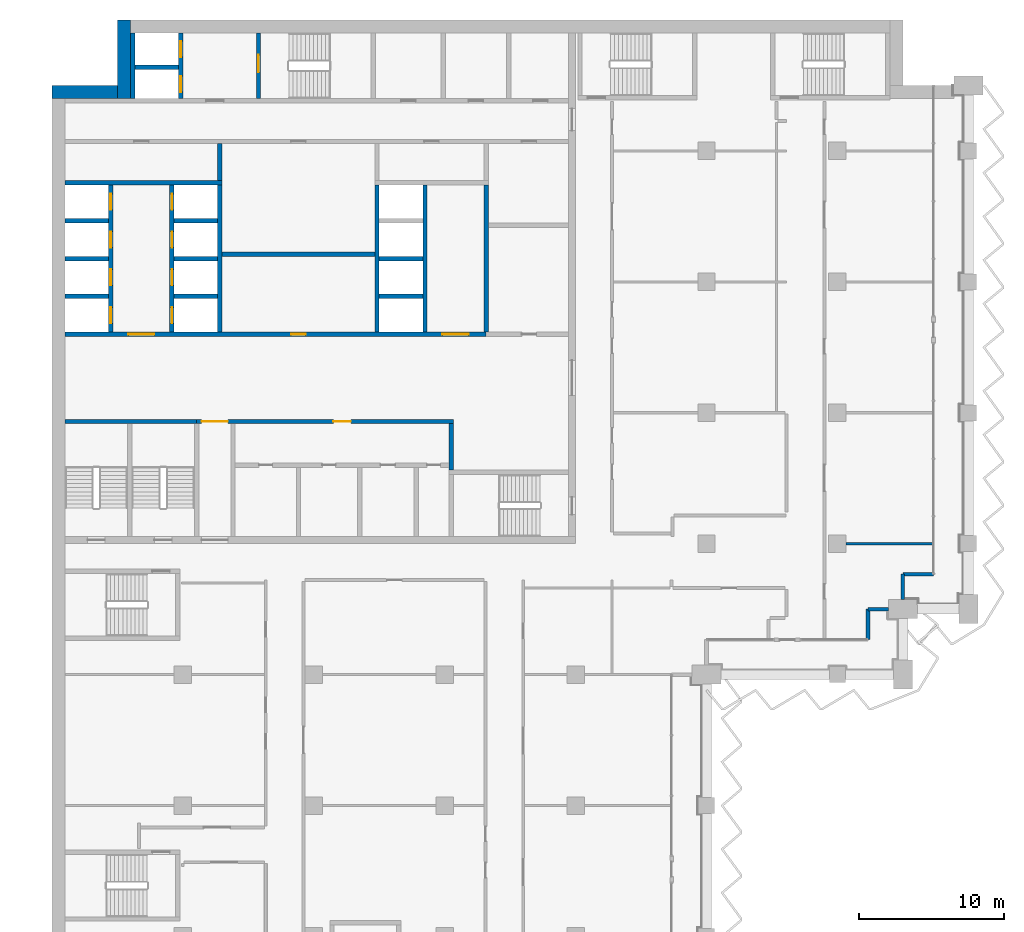
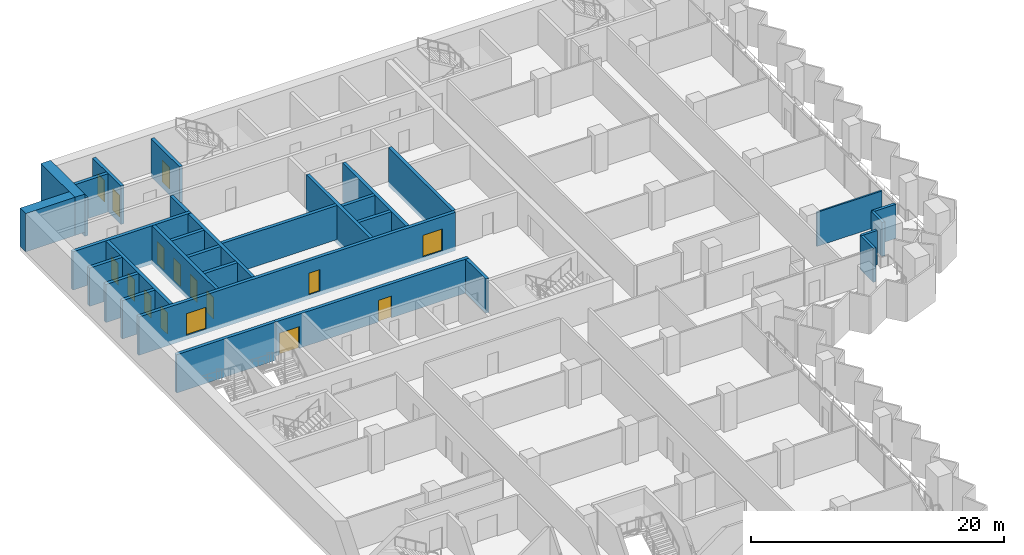
# One storey, part 12 of 22: 32 walls, 16 doors, 16 openings.
"""IFC4 building model written with IfcOpenShell, lengths in metres."""

from ifc_helpers import new_model, si_unit, direction, frame, frame_2d, origin, place, context, subcontext, project, spatial, rectangle, extrude, material, layer, layer_set, type_object, element, fill, save


model = new_model("IFC4")

# Units and contexts
model_context = context("Model", 3, precision=1e-05, world=origin(), true_north=direction((0.0, 1.0)))
body_context = subcontext(model_context, "Body", "Model", "MODEL_VIEW")
ifc_project = project(units=[si_unit("LENGTHUNIT", "METRE"), si_unit("AREAUNIT", "SQUARE_METRE"), si_unit("VOLUMEUNIT", "CUBIC_METRE"), si_unit("PLANEANGLEUNIT", "RADIAN"), si_unit("MASSUNIT", "GRAM", prefix="KILO")], contexts=[model_context])

# Site, building, storey
site_placement = place(None, origin())
site = spatial("IfcSite", under=ifc_project, at=site_placement, CompositionType="ELEMENT")
building_placement = place(site_placement, origin())
building = spatial("IfcBuilding", under=site, at=building_placement, Name="Hunhe Ridgeline Campus", CompositionType="ELEMENT")
storey_placement = place(building_placement, frame((0.0, 0.0, 156.0)))
storey = spatial("IfcBuildingStorey", under=building, at=storey_placement, Name="L39", CompositionType="ELEMENT", Elevation=156.0)

# Wall, openings, doors
ifc_material_1 = material(Name="Masonry concrete blockwork", Category="masonry")
ifc_layer_1 = layer(ifc_material_1, 0.300048828125)
ifc_layer_set_1 = layer_set([ifc_layer_1], Name="Core room partition 300 concrete block")
wall_type_1 = type_object("IfcWallType", Name="Core room partition 300 concrete block", PredefinedType="PARTITIONING", material=ifc_layer_set_1)
wall_1_placement = place(storey_placement, frame((9.949951171875, 71.39990234375, 0.0), z_axis=(0.0, 0.0, 1.0), x_axis=(1.0, 0.0, 0.0)))
wall_1 = element("IfcWall", 1, at=wall_1_placement, inside=storey, type_object=wall_type_1, Name="L39 core partition 11", PredefinedType="PARTITIONING", context=body_context, shape_type="SweptSolid", body=[
    extrude(rectangle(XDim=17.650146484375, YDim=0.300048828125, at=frame_2d((8.8251953125, 0.0))), origin(), (0.0, 0.0, 1.0), 3.300048828125),
])
opening_1_placement = place(wall_1_placement, frame((0.35009765625, 0.0, 0.0)))
opening_1 = element("IfcOpeningElement", 2, at=opening_1_placement, cuts=wall_1, Name="Opening CD7", PredefinedType="OPENING", context=body_context, shape_type="SweptSolid", body=[
    extrude(rectangle(XDim=1.800048828125, YDim=2.10009765625, at=frame_2d((0.89990234375, 1.050048828125))), frame((0.0, 0.14990234375, 0.0), z_axis=(0.0, -1.0, 0.0), x_axis=(1.0, 0.0, 0.0)), (0.0, 0.0, 1.0), 0.300048828125),
])
opening_2_placement = place(wall_1_placement, frame((9.39990234375, 0.0, 0.0)))
opening_2 = element("IfcOpeningElement", 3, at=opening_2_placement, cuts=wall_1, Name="Opening CD12", PredefinedType="OPENING", context=body_context, shape_type="SweptSolid", body=[
    extrude(rectangle(XDim=1.199951171875, YDim=2.10009765625, at=frame_2d((0.60009765625, 1.050048828125))), frame((0.0, 0.14990234375, 0.0), z_axis=(0.0, -1.0, 0.0), x_axis=(1.0, 0.0, 0.0)), (0.0, 0.0, 1.0), 0.300048828125),
])
ifc_material_2 = material(Name="Anodised aluminium and glass", Category="aluminium")
door_type_1 = type_object("IfcDoorType", Name="Glazed double door 1800x2100", OperationType="DOUBLE_DOOR_SINGLE_SWING", PredefinedType="DOOR", material=ifc_material_2)
door_1_placement = place(opening_1_placement, origin())
door_1 = element("IfcDoor", 4, at=door_1_placement, inside=storey, type_object=door_type_1, Name="L39 door VEST-HALL", OperationType="DOUBLE_DOOR_SINGLE_SWING", OverallHeight=2.10009765625, OverallWidth=1.800048828125, PredefinedType="DOOR", context=body_context, shape_type="SweptSolid", body=[
    extrude(rectangle(XDim=1.800048828125, YDim=2.10009765625, at=frame_2d((0.89990234375, 1.050048828125))), frame((0.0, 0.02490234375, 0.0), z_axis=(0.0, -1.0, 0.0), x_axis=(1.0, 0.0, 0.0)), (0.0, 0.0, 1.0), 0.050048828125),
])
fill(opening_1, door_1)
ifc_material_3 = material(Name="Solid core timber door leaf", Category="wood")
door_type_2 = type_object("IfcDoorType", Name="Timber door 1200x2100", OperationType="SINGLE_SWING_LEFT", PredefinedType="DOOR", material=ifc_material_3)
door_2_placement = place(opening_2_placement, origin())
door_2 = element("IfcDoor", 5, at=door_2_placement, inside=storey, type_object=door_type_2, Name="L39 door WCL2-HALL", OperationType="SINGLE_SWING_LEFT", OverallHeight=2.10009765625, OverallWidth=1.199951171875, PredefinedType="DOOR", context=body_context, shape_type="SweptSolid", body=[
    extrude(rectangle(XDim=1.199951171875, YDim=2.10009765625, at=frame_2d((0.60009765625, 1.050048828125))), frame((0.0, 0.02490234375, 0.0), z_axis=(0.0, -1.0, 0.0), x_axis=(1.0, 0.0, 0.0)), (0.0, 0.0, 1.0), 0.050048828125),
])
fill(opening_2, door_2)

# Walls
wall_2_placement = place(storey_placement, frame((11.699951171875, 82.89990234375, 0.0), z_axis=(0.0, 0.0, 1.0), x_axis=(1.0, 0.0, 0.0)))
element("IfcWall", 6, at=wall_2_placement, inside=storey, type_object=wall_type_1, Name="L39 core partition 20", PredefinedType="PARTITIONING", context=body_context, shape_type="SweptSolid", body=[
    extrude(rectangle(XDim=10.5, YDim=0.300048828125, at=frame_2d((5.25, 0.0))), origin(), (0.0, 0.0, 1.0), 3.300048828125),
])
wall_3_placement = place(storey_placement, frame((11.550048828125, 87.949951171875, 0.0), z_axis=(0.0, 0.0, 1.0), x_axis=(0.0, 1.0, 0.0)))
element("IfcWall", 7, at=wall_3_placement, inside=storey, type_object=wall_type_1, Name="L39 core partition 41", PredefinedType="PARTITIONING", context=body_context, shape_type="SweptSolid", body=[
    extrude(rectangle(XDim=2.550048828125, YDim=0.300048828125, at=frame_2d((1.27490234375, 0.0))), origin(), (0.0, 0.0, 1.0), 3.300048828125),
])
wall_4_placement = place(storey_placement, frame((27.449951171875, 68.050048828125, 0.0), z_axis=(0.0, 0.0, 1.0), x_axis=(0.0, 1.0, 0.0)))
element("IfcWall", 8, at=wall_4_placement, inside=storey, type_object=wall_type_1, Name="L39 core partition 55", PredefinedType="PARTITIONING", context=body_context, shape_type="SweptSolid", body=[
    extrude(rectangle(XDim=3.199951171875, YDim=0.300048828125, at=frame_2d((1.60009765625, 0.0))), origin(), (0.0, 0.0, 1.0), 3.300048828125),
])
ifc_material_4 = material(Name="Concrete C30", Category="concrete")
ifc_layer_2 = layer(ifc_material_4, 0.25)
ifc_layer_set_2 = layer_set([ifc_layer_2], Name="Corner return wall 250 Concrete C30")
wall_type_2 = type_object("IfcWallType", Name="Corner return wall 250 Concrete C30", PredefinedType="SOLIDWALL", material=ifc_layer_set_2)
wall_5_placement = place(storey_placement, frame((56.09912109375, 56.40087890625, 0.0), z_axis=(0.0, 0.0, 1.0), x_axis=(0.00011626555, 0.999999993241, 0.0)))
element("IfcWall", 9, at=wall_5_placement, inside=storey, type_object=wall_type_2, Name="Corner return wall 4", PredefinedType="SOLIDWALL", context=body_context, shape_type="SweptSolid", body=[
    extrude(rectangle(XDim=2.099853515625, YDim=0.25, at=frame_2d((1.0498046875, 0.0))), origin(), (0.0, 0.0, 1.0), 3.300048828125),
])
wall_6_placement = place(storey_placement, frame((56.099365234375, 58.500732421875, 0.0), z_axis=(0.0, 0.0, 1.0), x_axis=(0.999999984809, 0.000174307127, 0.0)))
element("IfcWall", 10, at=wall_6_placement, inside=storey, type_object=wall_type_2, Name="Corner return wall 5", PredefinedType="SOLIDWALL", context=body_context, shape_type="SweptSolid", body=[
    extrude(rectangle(XDim=1.400634765625, YDim=0.25, at=frame_2d((0.7001953125, 0.0))), origin(), (0.0, 0.0, 1.0), 3.300048828125),
])
wall_7_placement = place(storey_placement, frame((58.4990234375, 59.14990234375, 0.0), z_axis=(0.0, 0.0, 1.0), x_axis=(0.000139450563, 0.999999990277, 0.0)))
element("IfcWall", 11, at=wall_7_placement, inside=storey, type_object=wall_type_2, Name="Corner return wall 6", PredefinedType="SOLIDWALL", context=body_context, shape_type="SweptSolid", body=[
    extrude(rectangle(XDim=1.750732421875, YDim=0.25, at=frame_2d((0.87548828125, 0.0))), origin(), (0.0, 0.0, 1.0), 3.300048828125),
])
wall_8_placement = place(storey_placement, frame((58.499267578125, 60.900634765625, 0.0), z_axis=(0.0, 0.0, 1.0), x_axis=(0.999999993241, 0.00011626555, 0.0)))
element("IfcWall", 12, at=wall_8_placement, inside=storey, type_object=wall_type_2, Name="Corner return wall 7", PredefinedType="SOLIDWALL", context=body_context, shape_type="SweptSolid", body=[
    extrude(rectangle(XDim=2.099853515625, YDim=0.25, at=frame_2d((1.0498046875, 0.0))), origin(), (0.0, 0.0, 1.0), 3.300048828125),
])
ifc_material_5 = material(Name="Concrete C70", Category="concrete")
ifc_layer_3 = layer(ifc_material_5, 0.300048828125)
ifc_layer_set_3 = layer_set([ifc_layer_3], Name="Lobby wall 300 reinforced concrete C70")
wall_type_3 = type_object("IfcWallType", Name="Lobby wall 300 reinforced concrete C70", PredefinedType="SOLIDWALL", material=ifc_layer_set_3)
wall_9_placement = place(storey_placement, frame((29.85009765625, 77.550048828125, -0.39990234375), z_axis=(0.0, 0.0, 1.0), x_axis=(0.0, 1.0, 0.0)))
element("IfcWall", 13, at=wall_9_placement, inside=storey, type_object=wall_type_3, Name="L39 core wall 56", PredefinedType="SOLIDWALL", context=body_context, shape_type="SweptSolid", body=[
    extrude(rectangle(XDim=10.099853515625, YDim=0.300048828125, at=frame_2d((5.0498046875, 0.0))), origin(), (0.0, 0.0, 1.0), 3.699951171875),
])
ifc_material_6 = material(Name="Gypsum board partition")
ifc_layer_4 = layer(ifc_material_6, 0.14990234375)
ifc_layer_set_4 = layer_set([ifc_layer_4], Name="Room partition 150 gypsum board on steel studs")
wall_type_4 = type_object("IfcWallType", Name="Room partition 150 gypsum board on steel studs", PredefinedType="PARTITIONING", material=ifc_layer_set_4)
wall_10_placement = place(storey_placement, frame((54.60009765625, 63.0, 0.0), z_axis=(0.0, 0.0, 1.0), x_axis=(1.0, 0.0, 0.0)))
element("IfcWall", 14, at=wall_10_placement, inside=storey, type_object=wall_type_4, Name="F-L39-wall-042", PredefinedType="PARTITIONING", context=body_context, shape_type="SweptSolid", body=[
    extrude(rectangle(XDim=5.94482421875, YDim=0.14990234375, at=frame_2d((2.972412109375, 0.0))), origin(), (0.0, 0.0, 1.0), 3.300048828125),
])

# Wall, openings, doors
ifc_layer_5 = layer(ifc_material_5, 0.300048828125)
ifc_layer_set_5 = layer_set([ifc_layer_5], Name="Shaft wall 300 reinforced concrete C70")
wall_type_5 = type_object("IfcWallType", Name="Shaft wall 300 reinforced concrete C70", PredefinedType="SOLIDWALL", material=ifc_layer_set_5)
wall_11_placement = place(storey_placement, frame((0.89990234375, 77.39990234375, -0.39990234375), z_axis=(0.0, 0.0, 1.0), x_axis=(1.0, 0.0, 0.0)))
wall_11 = element("IfcWall", 15, at=wall_11_placement, inside=storey, type_object=wall_type_5, Name="L39 core wall 12", PredefinedType="SOLIDWALL", context=body_context, shape_type="SweptSolid", body=[
    extrude(rectangle(XDim=28.9501953125, YDim=0.300048828125, at=frame_2d((14.47509765625, 0.0))), origin(), (0.0, 0.0, 1.0), 3.699951171875),
])
opening_3_placement = place(wall_11_placement, frame((4.35009765625, 0.0, 0.39990234375)))
opening_3 = element("IfcOpeningElement", 16, at=opening_3_placement, cuts=wall_11, Name="Opening CD1", PredefinedType="OPENING", context=body_context, shape_type="SweptSolid", body=[
    extrude(rectangle(XDim=1.800048828125, YDim=2.10009765625, at=frame_2d((0.89990234375, 1.050048828125))), frame((0.0, 0.14990234375, 0.0), z_axis=(0.0, -1.0, 0.0), x_axis=(1.0, 0.0, 0.0)), (0.0, 0.0, 1.0), 0.300048828125),
])
opening_4_placement = place(wall_11_placement, frame((25.949951171875, 0.0, 0.39990234375)))
opening_4 = element("IfcOpeningElement", 17, at=opening_4_placement, cuts=wall_11, Name="Opening CD2", PredefinedType="OPENING", context=body_context, shape_type="SweptSolid", body=[
    extrude(rectangle(XDim=1.800048828125, YDim=2.10009765625, at=frame_2d((0.89990234375, 1.050048828125))), frame((0.0, 0.14990234375, 0.0), z_axis=(0.0, -1.0, 0.0), x_axis=(1.0, 0.0, 0.0)), (0.0, 0.0, 1.0), 0.300048828125),
])
opening_5_placement = place(wall_11_placement, frame((15.550048828125, 0.0, 0.39990234375)))
opening_5 = element("IfcOpeningElement", 18, at=opening_5_placement, cuts=wall_11, Name="Opening CD28", PredefinedType="OPENING", context=body_context, shape_type="SweptSolid", body=[
    extrude(rectangle(XDim=1.0, YDim=2.10009765625, at=frame_2d((0.5, 1.050048828125))), frame((0.0, 0.14990234375, 0.0), z_axis=(0.0, -1.0, 0.0), x_axis=(1.0, 0.0, 0.0)), (0.0, 0.0, 1.0), 0.300048828125),
])
ifc_material_7 = material(Name="Hollow metal fire door leaf")
door_type_3 = type_object("IfcDoorType", Name="Lobby door 1800x2100 FD60", OperationType="SINGLE_SWING_LEFT", PredefinedType="DOOR", material=ifc_material_7)
door_3_placement = place(opening_3_placement, frame((1.800048828125, 0.0, 0.0), z_axis=(0.0, 0.0, 1.0), x_axis=(-1.0, 0.0, 0.0)))
door_3 = element("IfcDoor", 19, at=door_3_placement, inside=storey, type_object=door_type_3, Name="L39 door LOB-LR", OperationType="SINGLE_SWING_RIGHT", OverallHeight=2.10009765625, OverallWidth=1.800048828125, PredefinedType="DOOR", context=body_context, shape_type="SweptSolid", body=[
    extrude(rectangle(XDim=1.800048828125, YDim=2.10009765625, at=frame_2d((0.89990234375, 1.050048828125))), frame((0.0, 0.02490234375, 0.0), z_axis=(0.0, -1.0, 0.0), x_axis=(1.0, 0.0, 0.0)), (0.0, 0.0, 1.0), 0.050048828125),
])
fill(opening_3, door_3)
door_4_placement = place(opening_4_placement, frame((1.800048828125, 0.0, 0.0), z_axis=(0.0, 0.0, 1.0), x_axis=(-1.0, 0.0, 0.0)))
door_4 = element("IfcDoor", 20, at=door_4_placement, inside=storey, type_object=door_type_3, Name="L39 door LOB-SH", OperationType="SINGLE_SWING_LEFT", OverallHeight=2.10009765625, OverallWidth=1.800048828125, PredefinedType="DOOR", context=body_context, shape_type="SweptSolid", body=[
    extrude(rectangle(XDim=1.800048828125, YDim=2.10009765625, at=frame_2d((0.89990234375, 1.050048828125))), frame((0.0, 0.02490234375, 0.0), z_axis=(0.0, -1.0, 0.0), x_axis=(1.0, 0.0, 0.0)), (0.0, 0.0, 1.0), 0.050048828125),
])
fill(opening_4, door_4)
door_type_4 = type_object("IfcDoorType", Name="Timber door 1000x2100", OperationType="SINGLE_SWING_LEFT", PredefinedType="DOOR", material=ifc_material_3)
door_5_placement = place(opening_5_placement, origin())
door_5 = element("IfcDoor", 21, at=door_5_placement, inside=storey, type_object=door_type_4, Name="L39 door VD-HR0", OperationType="SINGLE_SWING_RIGHT", OverallHeight=2.10009765625, OverallWidth=1.0, PredefinedType="DOOR", context=body_context, shape_type="SweptSolid", body=[
    extrude(rectangle(XDim=1.0, YDim=2.10009765625, at=frame_2d((0.5, 1.050048828125))), frame((0.0, 0.02490234375, 0.0), z_axis=(0.0, -1.0, 0.0), x_axis=(1.0, 0.0, 0.0)), (0.0, 0.0, 1.0), 0.050048828125),
])
fill(opening_5, door_5)

# Walls
for number, where, z_axis, x_axis, name in (
    (22, (0.89990234375, 80.0, -0.39990234375), (0.0, 0.0, 1.0), (1.0, 0.0, 0.0), "L39 core wall 14"),
    (23, (8.39990234375, 80.0, -0.39990234375), (0.0, 0.0, 1.0), (1.0, 0.0, 0.0), "L39 core wall 15"),
    (24, (22.5, 80.0, -0.39990234375), (0.0, 0.0, 1.0), (1.0, 0.0, 0.0), "L39 core wall 16"),
    (25, (0.89990234375, 82.60009765625, -0.39990234375), (0.0, 0.0, 1.0), (1.0, 0.0, 0.0), "L39 core wall 17"),
    (26, (8.39990234375, 82.60009765625, -0.39990234375), (0.0, 0.0, 1.0), (1.0, 0.0, 0.0), "L39 core wall 18"),
    (27, (22.5, 82.60009765625, -0.39990234375), (0.0, 0.0, 1.0), (1.0, 0.0, 0.0), "L39 core wall 19"),
    (28, (0.89990234375, 85.199951171875, -0.39990234375), (0.0, 0.0, 1.0), (1.0, 0.0, 0.0), "L39 core wall 22"),
    (29, (8.39990234375, 85.199951171875, -0.39990234375), (0.0, 0.0, 1.0), (1.0, 0.0, 0.0), "L39 core wall 23"),
):
    element("IfcWall", number, at=place(storey_placement, frame(where, z_axis=z_axis, x_axis=x_axis)), inside=storey, type_object=wall_type_5, Name=name, PredefinedType="SOLIDWALL", context=body_context, shape_type="SweptSolid", body=[
        extrude(rectangle(XDim=3.0, YDim=0.300048828125, at=frame_2d((1.5, 0.0))), origin(), (0.0, 0.0, 1.0), 3.699951171875),
    ])
wall_12_placement = place(storey_placement, frame((0.89990234375, 87.800048828125, -0.39990234375), z_axis=(0.0, 0.0, 1.0), x_axis=(1.0, 0.0, 0.0)))
element("IfcWall", 30, at=wall_12_placement, inside=storey, type_object=wall_type_5, Name="L39 core wall 25", PredefinedType="SOLIDWALL", context=body_context, shape_type="SweptSolid", body=[
    extrude(rectangle(XDim=10.800048828125, YDim=0.300048828125, at=frame_2d((5.39990234375, 0.0))), origin(), (0.0, 0.0, 1.0), 3.699951171875),
])
wall_13_placement = place(storey_placement, frame((5.699951171875, 95.75, -0.39990234375), z_axis=(0.0, 0.0, 1.0), x_axis=(1.0, 0.0, 0.0)))
element("IfcWall", 31, at=wall_13_placement, inside=storey, type_object=wall_type_5, Name="L39 core wall 31", PredefinedType="SOLIDWALL", context=body_context, shape_type="SweptSolid", body=[
    extrude(rectangle(XDim=3.0, YDim=0.300048828125, at=frame_2d((1.5, 0.0))), origin(), (0.0, 0.0, 1.0), 3.699951171875),
])

# Wall, openings, doors
wall_14_placement = place(storey_placement, frame((4.050048828125, 77.550048828125, -0.39990234375), z_axis=(0.0, 0.0, 1.0), x_axis=(0.0, 1.0, 0.0)))
wall_14 = element("IfcWall", 32, at=wall_14_placement, inside=storey, type_object=wall_type_5, Name="L39 core wall 32", PredefinedType="SOLIDWALL", context=body_context, shape_type="SweptSolid", body=[
    extrude(rectangle(XDim=10.099853515625, YDim=0.300048828125, at=frame_2d((5.0498046875, 0.0))), origin(), (0.0, 0.0, 1.0), 3.699951171875),
])
opening_6_placement = place(wall_14_placement, frame((0.60009765625, 0.0, 0.39990234375)))
opening_6 = element("IfcOpeningElement", 33, at=opening_6_placement, cuts=wall_14, Name="Opening LD-LR1", PredefinedType="OPENING", context=body_context, shape_type="SweptSolid", body=[
    extrude(rectangle(XDim=1.10009765625, YDim=2.10009765625, at=frame_2d((0.550048828125, 1.050048828125))), frame((0.0, 0.14990234375, 0.0), z_axis=(0.0, -1.0, 0.0), x_axis=(1.0, 0.0, 0.0)), (0.0, 0.0, 1.0), 0.300048828125),
])
opening_7_placement = place(wall_14_placement, frame((3.199951171875, 0.0, 0.39990234375)))
opening_7 = element("IfcOpeningElement", 34, at=opening_7_placement, cuts=wall_14, Name="Opening LD-LR2", PredefinedType="OPENING", context=body_context, shape_type="SweptSolid", body=[
    extrude(rectangle(XDim=1.10009765625, YDim=2.10009765625, at=frame_2d((0.550048828125, 1.050048828125))), frame((0.0, 0.14990234375, 0.0), z_axis=(0.0, -1.0, 0.0), x_axis=(1.0, 0.0, 0.0)), (0.0, 0.0, 1.0), 0.300048828125),
])
opening_8_placement = place(wall_14_placement, frame((5.800048828125, 0.0, 0.39990234375)))
opening_8 = element("IfcOpeningElement", 35, at=opening_8_placement, cuts=wall_14, Name="Opening LD-LR3", PredefinedType="OPENING", context=body_context, shape_type="SweptSolid", body=[
    extrude(rectangle(XDim=1.10009765625, YDim=2.10009765625, at=frame_2d((0.550048828125, 1.050048828125))), frame((0.0, 0.14990234375, 0.0), z_axis=(0.0, -1.0, 0.0), x_axis=(1.0, 0.0, 0.0)), (0.0, 0.0, 1.0), 0.300048828125),
])
opening_9_placement = place(wall_14_placement, frame((8.39990234375, 0.0, 0.39990234375)))
opening_9 = element("IfcOpeningElement", 36, at=opening_9_placement, cuts=wall_14, Name="Opening LD-LR4", PredefinedType="OPENING", context=body_context, shape_type="SweptSolid", body=[
    extrude(rectangle(XDim=1.10009765625, YDim=2.10009765625, at=frame_2d((0.550048828125, 1.050048828125))), frame((0.0, 0.14990234375, 0.0), z_axis=(0.0, -1.0, 0.0), x_axis=(1.0, 0.0, 0.0)), (0.0, 0.0, 1.0), 0.300048828125),
])
ifc_material_8 = material(Name="Stainless steel sliding leaves", Category="steel")
door_type_5 = type_object("IfcDoorType", Name="Landing door 1100x2100 FD120", OperationType="SLIDING_TO_LEFT", PredefinedType="DOOR", material=ifc_material_8)
door_6_placement = place(opening_6_placement, origin())
door_6 = element("IfcDoor", 37, at=door_6_placement, inside=storey, type_object=door_type_5, Name="L39 landing door LR1", OperationType="SLIDING_TO_RIGHT", OverallHeight=2.10009765625, OverallWidth=1.10009765625, PredefinedType="DOOR", context=body_context, shape_type="SweptSolid", body=[
    extrude(rectangle(XDim=1.10009765625, YDim=2.10009765625, at=frame_2d((0.550048828125, 1.050048828125))), frame((0.0, 0.02490234375, 0.0), z_axis=(0.0, -1.0, 0.0), x_axis=(1.0, 0.0, 0.0)), (0.0, 0.0, 1.0), 0.050048828125),
])
fill(opening_6, door_6)
door_7_placement = place(opening_7_placement, origin())
door_7 = element("IfcDoor", 38, at=door_7_placement, inside=storey, type_object=door_type_5, Name="L39 landing door LR2", OperationType="SLIDING_TO_LEFT", OverallHeight=2.10009765625, OverallWidth=1.10009765625, PredefinedType="DOOR", context=body_context, shape_type="SweptSolid", body=[
    extrude(rectangle(XDim=1.10009765625, YDim=2.10009765625, at=frame_2d((0.550048828125, 1.050048828125))), frame((0.0, 0.02490234375, 0.0), z_axis=(0.0, -1.0, 0.0), x_axis=(1.0, 0.0, 0.0)), (0.0, 0.0, 1.0), 0.050048828125),
])
fill(opening_7, door_7)
door_8_placement = place(opening_8_placement, origin())
door_8 = element("IfcDoor", 39, at=door_8_placement, inside=storey, type_object=door_type_5, Name="L39 landing door LR3", OperationType="SLIDING_TO_RIGHT", OverallHeight=2.10009765625, OverallWidth=1.10009765625, PredefinedType="DOOR", context=body_context, shape_type="SweptSolid", body=[
    extrude(rectangle(XDim=1.10009765625, YDim=2.10009765625, at=frame_2d((0.550048828125, 1.050048828125))), frame((0.0, 0.02490234375, 0.0), z_axis=(0.0, -1.0, 0.0), x_axis=(1.0, 0.0, 0.0)), (0.0, 0.0, 1.0), 0.050048828125),
])
fill(opening_8, door_8)
door_9_placement = place(opening_9_placement, origin())
door_9 = element("IfcDoor", 40, at=door_9_placement, inside=storey, type_object=door_type_5, Name="L39 landing door LR4", OperationType="SLIDING_TO_LEFT", OverallHeight=2.10009765625, OverallWidth=1.10009765625, PredefinedType="DOOR", context=body_context, shape_type="SweptSolid", body=[
    extrude(rectangle(XDim=1.10009765625, YDim=2.10009765625, at=frame_2d((0.550048828125, 1.050048828125))), frame((0.0, 0.02490234375, 0.0), z_axis=(0.0, -1.0, 0.0), x_axis=(1.0, 0.0, 0.0)), (0.0, 0.0, 1.0), 0.050048828125),
])
fill(opening_9, door_9)

# Wall
wall_15_placement = place(storey_placement, frame((5.550048828125, 93.60009765625, -0.39990234375), z_axis=(0.0, 0.0, 1.0), x_axis=(0.0, 1.0, 0.0)))
element("IfcWall", 41, at=wall_15_placement, inside=storey, type_object=wall_type_5, Name="L39 core wall 34", PredefinedType="SOLIDWALL", context=body_context, shape_type="SweptSolid", body=[
    extrude(rectangle(XDim=4.5, YDim=0.300048828125, at=frame_2d((2.25, 0.0))), origin(), (0.0, 0.0, 1.0), 3.699951171875),
])

# Wall, openings, doors
wall_16_placement = place(storey_placement, frame((8.25, 77.550048828125, -0.39990234375), z_axis=(0.0, 0.0, 1.0), x_axis=(0.0, 1.0, 0.0)))
wall_16 = element("IfcWall", 42, at=wall_16_placement, inside=storey, type_object=wall_type_5, Name="L39 core wall 35", PredefinedType="SOLIDWALL", context=body_context, shape_type="SweptSolid", body=[
    extrude(rectangle(XDim=10.099853515625, YDim=0.300048828125, at=frame_2d((5.0498046875, 0.0))), origin(), (0.0, 0.0, 1.0), 3.699951171875),
])
opening_10_placement = place(wall_16_placement, frame((0.60009765625, 0.0, 0.39990234375)))
opening_10 = element("IfcOpeningElement", 43, at=opening_10_placement, cuts=wall_16, Name="Opening LD-LR5", PredefinedType="OPENING", context=body_context, shape_type="SweptSolid", body=[
    extrude(rectangle(XDim=1.10009765625, YDim=2.10009765625, at=frame_2d((0.550048828125, 1.050048828125))), frame((0.0, 0.14990234375, 0.0), z_axis=(0.0, -1.0, 0.0), x_axis=(1.0, 0.0, 0.0)), (0.0, 0.0, 1.0), 0.300048828125),
])
opening_11_placement = place(wall_16_placement, frame((3.199951171875, 0.0, 0.39990234375)))
opening_11 = element("IfcOpeningElement", 44, at=opening_11_placement, cuts=wall_16, Name="Opening LD-LR6", PredefinedType="OPENING", context=body_context, shape_type="SweptSolid", body=[
    extrude(rectangle(XDim=1.10009765625, YDim=2.10009765625, at=frame_2d((0.550048828125, 1.050048828125))), frame((0.0, 0.14990234375, 0.0), z_axis=(0.0, -1.0, 0.0), x_axis=(1.0, 0.0, 0.0)), (0.0, 0.0, 1.0), 0.300048828125),
])
opening_12_placement = place(wall_16_placement, frame((5.800048828125, 0.0, 0.39990234375)))
opening_12 = element("IfcOpeningElement", 45, at=opening_12_placement, cuts=wall_16, Name="Opening LD-LR7", PredefinedType="OPENING", context=body_context, shape_type="SweptSolid", body=[
    extrude(rectangle(XDim=1.10009765625, YDim=2.10009765625, at=frame_2d((0.550048828125, 1.050048828125))), frame((0.0, 0.14990234375, 0.0), z_axis=(0.0, -1.0, 0.0), x_axis=(1.0, 0.0, 0.0)), (0.0, 0.0, 1.0), 0.300048828125),
])
opening_13_placement = place(wall_16_placement, frame((8.39990234375, 0.0, 0.39990234375)))
opening_13 = element("IfcOpeningElement", 46, at=opening_13_placement, cuts=wall_16, Name="Opening LD-LR8", PredefinedType="OPENING", context=body_context, shape_type="SweptSolid", body=[
    extrude(rectangle(XDim=1.10009765625, YDim=2.10009765625, at=frame_2d((0.550048828125, 1.050048828125))), frame((0.0, 0.14990234375, 0.0), z_axis=(0.0, -1.0, 0.0), x_axis=(1.0, 0.0, 0.0)), (0.0, 0.0, 1.0), 0.300048828125),
])
door_10_placement = place(opening_10_placement, origin())
door_10 = element("IfcDoor", 47, at=door_10_placement, inside=storey, type_object=door_type_5, Name="L39 landing door LR5", OperationType="SLIDING_TO_RIGHT", OverallHeight=2.10009765625, OverallWidth=1.10009765625, PredefinedType="DOOR", context=body_context, shape_type="SweptSolid", body=[
    extrude(rectangle(XDim=1.10009765625, YDim=2.10009765625, at=frame_2d((0.550048828125, 1.050048828125))), frame((0.0, 0.02490234375, 0.0), z_axis=(0.0, -1.0, 0.0), x_axis=(1.0, 0.0, 0.0)), (0.0, 0.0, 1.0), 0.050048828125),
])
fill(opening_10, door_10)
door_11_placement = place(opening_11_placement, origin())
door_11 = element("IfcDoor", 48, at=door_11_placement, inside=storey, type_object=door_type_5, Name="L39 landing door LR6", OperationType="SLIDING_TO_LEFT", OverallHeight=2.10009765625, OverallWidth=1.10009765625, PredefinedType="DOOR", context=body_context, shape_type="SweptSolid", body=[
    extrude(rectangle(XDim=1.10009765625, YDim=2.10009765625, at=frame_2d((0.550048828125, 1.050048828125))), frame((0.0, 0.02490234375, 0.0), z_axis=(0.0, -1.0, 0.0), x_axis=(1.0, 0.0, 0.0)), (0.0, 0.0, 1.0), 0.050048828125),
])
fill(opening_11, door_11)
door_12_placement = place(opening_12_placement, origin())
door_12 = element("IfcDoor", 49, at=door_12_placement, inside=storey, type_object=door_type_5, Name="L39 landing door LR7", OperationType="SLIDING_TO_RIGHT", OverallHeight=2.10009765625, OverallWidth=1.10009765625, PredefinedType="DOOR", context=body_context, shape_type="SweptSolid", body=[
    extrude(rectangle(XDim=1.10009765625, YDim=2.10009765625, at=frame_2d((0.550048828125, 1.050048828125))), frame((0.0, 0.02490234375, 0.0), z_axis=(0.0, -1.0, 0.0), x_axis=(1.0, 0.0, 0.0)), (0.0, 0.0, 1.0), 0.050048828125),
])
fill(opening_12, door_12)
door_13_placement = place(opening_13_placement, origin())
door_13 = element("IfcDoor", 50, at=door_13_placement, inside=storey, type_object=door_type_5, Name="L39 landing door LR8", OperationType="SLIDING_TO_LEFT", OverallHeight=2.10009765625, OverallWidth=1.10009765625, PredefinedType="DOOR", context=body_context, shape_type="SweptSolid", body=[
    extrude(rectangle(XDim=1.10009765625, YDim=2.10009765625, at=frame_2d((0.550048828125, 1.050048828125))), frame((0.0, 0.02490234375, 0.0), z_axis=(0.0, -1.0, 0.0), x_axis=(1.0, 0.0, 0.0)), (0.0, 0.0, 1.0), 0.050048828125),
])
fill(opening_13, door_13)

wall_17_placement = place(storey_placement, frame((8.85009765625, 93.60009765625, -0.39990234375), z_axis=(0.0, 0.0, 1.0), x_axis=(0.0, 1.0, 0.0)))
wall_17 = element("IfcWall", 51, at=wall_17_placement, inside=storey, type_object=wall_type_5, Name="L39 core wall 38", PredefinedType="SOLIDWALL", context=body_context, shape_type="SweptSolid", body=[
    extrude(rectangle(XDim=4.5, YDim=0.300048828125, at=frame_2d((2.25, 0.0))), origin(), (0.0, 0.0, 1.0), 3.699951171875),
])
opening_14_placement = place(wall_17_placement, frame((0.449951171875, 0.0, 0.39990234375)))
opening_14 = element("IfcOpeningElement", 52, at=opening_14_placement, cuts=wall_17, Name="Opening LD-FF1", PredefinedType="OPENING", context=body_context, shape_type="SweptSolid", body=[
    extrude(rectangle(XDim=1.10009765625, YDim=2.10009765625, at=frame_2d((0.550048828125, 1.050048828125))), frame((0.0, 0.14990234375, 0.0), z_axis=(0.0, -1.0, 0.0), x_axis=(1.0, 0.0, 0.0)), (0.0, 0.0, 1.0), 0.300048828125),
])
opening_15_placement = place(wall_17_placement, frame((2.85009765625, 0.0, 0.39990234375)))
opening_15 = element("IfcOpeningElement", 53, at=opening_15_placement, cuts=wall_17, Name="Opening LD-FF2", PredefinedType="OPENING", context=body_context, shape_type="SweptSolid", body=[
    extrude(rectangle(XDim=1.10009765625, YDim=2.10009765625, at=frame_2d((0.550048828125, 1.050048828125))), frame((0.0, 0.14990234375, 0.0), z_axis=(0.0, -1.0, 0.0), x_axis=(1.0, 0.0, 0.0)), (0.0, 0.0, 1.0), 0.300048828125),
])
door_14_placement = place(opening_14_placement, origin())
door_14 = element("IfcDoor", 54, at=door_14_placement, inside=storey, type_object=door_type_5, Name="L39 landing door FF1", OperationType="SLIDING_TO_RIGHT", OverallHeight=2.10009765625, OverallWidth=1.10009765625, PredefinedType="DOOR", context=body_context, shape_type="SweptSolid", body=[
    extrude(rectangle(XDim=1.10009765625, YDim=2.10009765625, at=frame_2d((0.550048828125, 1.050048828125))), frame((0.0, 0.02490234375, 0.0), z_axis=(0.0, -1.0, 0.0), x_axis=(1.0, 0.0, 0.0)), (0.0, 0.0, 1.0), 0.050048828125),
])
fill(opening_14, door_14)
door_15_placement = place(opening_15_placement, origin())
door_15 = element("IfcDoor", 55, at=door_15_placement, inside=storey, type_object=door_type_5, Name="L39 landing door FF2", OperationType="SLIDING_TO_LEFT", OverallHeight=2.10009765625, OverallWidth=1.10009765625, PredefinedType="DOOR", context=body_context, shape_type="SweptSolid", body=[
    extrude(rectangle(XDim=1.10009765625, YDim=2.10009765625, at=frame_2d((0.550048828125, 1.050048828125))), frame((0.0, 0.02490234375, 0.0), z_axis=(0.0, -1.0, 0.0), x_axis=(1.0, 0.0, 0.0)), (0.0, 0.0, 1.0), 0.050048828125),
])
fill(opening_15, door_15)

# Walls
for number, where, z_axis, x_axis, name in (
    (56, (11.550048828125, 77.550048828125, -0.39990234375), (0.0, 0.0, 1.0), (0.0, 1.0, 0.0), "L39 core wall 40"),
    (57, (22.35009765625, 77.550048828125, -0.39990234375), (0.0, 0.0, 1.0), (0.0, 1.0, 0.0), "L39 core wall 48"),
    (58, (25.64990234375, 77.550048828125, -0.39990234375), (0.0, 0.0, 1.0), (0.0, 1.0, 0.0), "L39 core wall 52"),
):
    element("IfcWall", number, at=place(storey_placement, frame(where, z_axis=z_axis, x_axis=x_axis)), inside=storey, type_object=wall_type_5, Name=name, PredefinedType="SOLIDWALL", context=body_context, shape_type="SweptSolid", body=[
        extrude(rectangle(XDim=10.099853515625, YDim=0.300048828125, at=frame_2d((5.0498046875, 0.0))), origin(), (0.0, 0.0, 1.0), 3.699951171875),
    ])
ifc_layer_6 = layer(ifc_material_5, 0.89990234375)
ifc_layer_set_6 = layer_set([ifc_layer_6], Name="Spine wall 900 Concrete C70")
wall_type_6 = type_object("IfcWallType", Name="Spine wall 900 Concrete C70", PredefinedType="SHEAR", material=ifc_layer_set_6)
for number, where, z_axis, x_axis, name in (
    (59, (4.949951171875, 99.0, 0.0), (0.0, 0.0, 1.0), (0.0, -1.0, 0.0), "Spine wall SW2-5 L39"),
    (60, (5.400146484375, 94.050048828125, 0.0), (0.0, 0.0, 1.0), (-1.0, 0.0, 0.0), "Spine wall SW2-6 L39"),
):
    element("IfcWall", number, at=place(storey_placement, frame(where, z_axis=z_axis, x_axis=x_axis)), inside=storey, type_object=wall_type_6, Name=name, PredefinedType="SHEAR", context=body_context, shape_type="SweptSolid", body=[
        extrude(rectangle(XDim=5.400146484375, YDim=0.89990234375, at=frame_2d((2.7001953125, 0.0))), origin(), (0.0, 0.0, 1.0), 3.699951171875),
    ])
ifc_layer_7 = layer(ifc_material_5, 0.300048828125)
ifc_layer_set_7 = layer_set([ifc_layer_7], Name="Stair wall 300 reinforced concrete C70")
wall_type_7 = type_object("IfcWallType", Name="Stair wall 300 reinforced concrete C70", PredefinedType="SOLIDWALL", material=ifc_layer_set_7)
wall_18_placement = place(storey_placement, frame((0.89990234375, 71.39990234375, -0.39990234375), z_axis=(0.0, 0.0, 1.0), x_axis=(1.0, 0.0, 0.0)))
element("IfcWall", 61, at=wall_18_placement, inside=storey, type_object=wall_type_7, Name="L39 core wall 10", PredefinedType="SOLIDWALL", context=body_context, shape_type="SweptSolid", body=[
    extrude(rectangle(XDim=9.050048828125, YDim=0.300048828125, at=frame_2d((4.52490234375, 0.0))), origin(), (0.0, 0.0, 1.0), 3.699951171875),
])

# Wall, opening, door
wall_19_placement = place(storey_placement, frame((14.199951171875, 93.60009765625, -0.39990234375), z_axis=(0.0, 0.0, 1.0), x_axis=(0.0, 1.0, 0.0)))
wall_19 = element("IfcWall", 62, at=wall_19_placement, inside=storey, type_object=wall_type_7, Name="L39 core wall 43", PredefinedType="SOLIDWALL", context=body_context, shape_type="SweptSolid", body=[
    extrude(rectangle(XDim=4.5, YDim=0.300048828125, at=frame_2d((2.25, 0.0))), origin(), (0.0, 0.0, 1.0), 3.699951171875),
])
opening_16_placement = place(wall_19_placement, frame((1.800048828125, 0.0, 0.39990234375)))
opening_16 = element("IfcOpeningElement", 63, at=opening_16_placement, cuts=wall_19, Name="Opening CD16", PredefinedType="OPENING", context=body_context, shape_type="SweptSolid", body=[
    extrude(rectangle(XDim=1.199951171875, YDim=2.10009765625, at=frame_2d((0.60009765625, 1.050048828125))), frame((0.0, 0.14990234375, 0.0), z_axis=(0.0, -1.0, 0.0), x_axis=(1.0, 0.0, 0.0)), (0.0, 0.0, 1.0), 0.300048828125),
])
door_type_6 = type_object("IfcDoorType", Name="Stair door 1200x2100 FD60", OperationType="SINGLE_SWING_LEFT", PredefinedType="DOOR", material=ifc_material_7)
door_16_placement = place(opening_16_placement, origin())
door_16 = element("IfcDoor", 64, at=door_16_placement, inside=storey, type_object=door_type_6, Name="L39 door S1-FF", OperationType="SINGLE_SWING_LEFT", OverallHeight=2.10009765625, OverallWidth=1.199951171875, PredefinedType="DOOR", context=body_context, shape_type="SweptSolid", body=[
    extrude(rectangle(XDim=1.199951171875, YDim=2.10009765625, at=frame_2d((0.60009765625, 1.050048828125))), frame((0.0, 0.02490234375, 0.0), z_axis=(0.0, -1.0, 0.0), x_axis=(1.0, 0.0, 0.0)), (0.0, 0.0, 1.0), 0.050048828125),
])
fill(opening_16, door_16)

save(model, "model.ifc")
